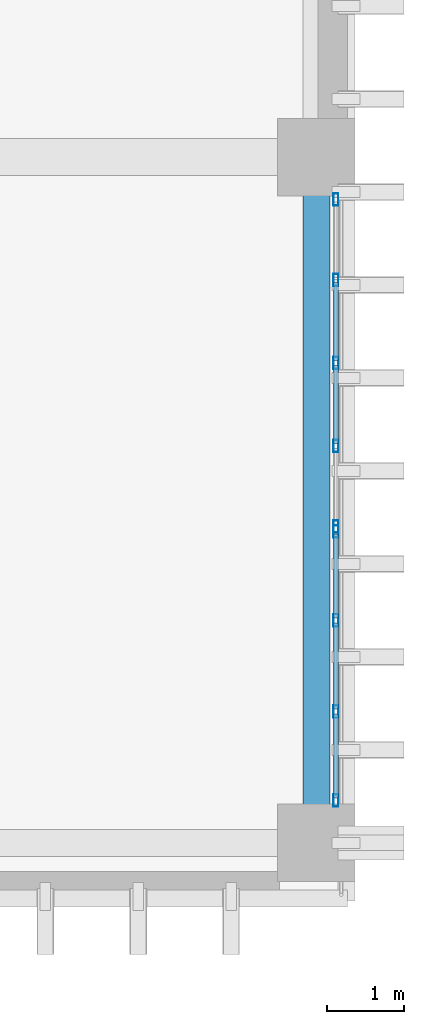
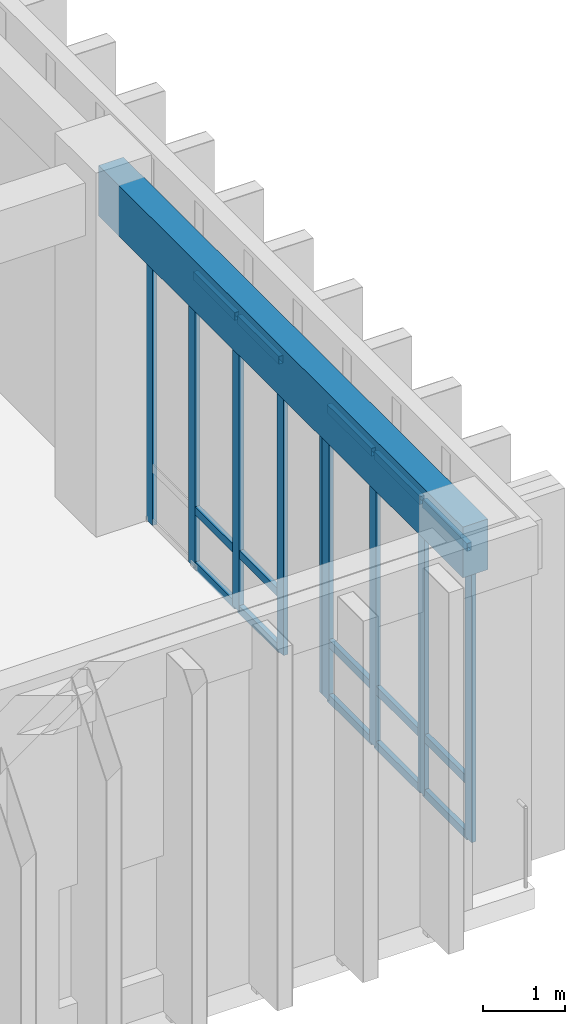
# One storey, part 60 of 134: 24 members, 1 beam, 2 elements without a shape of their own.
"""IFC4 building model written with IfcOpenShell, lengths in metres."""

from ifc_helpers import new_model, si_unit, direction, frame, origin, origin_2d, place, context, subcontext, project, spatial, rectangle, hollow_rectangle, extrude, material, layer, layer_set, material_profile, profile_set, type_object, element, aggregate, save


model = new_model("IFC4")

# Units and contexts
model_context = context("Model", 3, precision=1e-05, world=origin(), true_north=direction((0.0, 1.0)))
body_context = subcontext(model_context, "Body", "Model", "MODEL_VIEW")
ifc_project = project(units=[si_unit("LENGTHUNIT", "METRE"), si_unit("AREAUNIT", "SQUARE_METRE"), si_unit("VOLUMEUNIT", "CUBIC_METRE"), si_unit("PLANEANGLEUNIT", "RADIAN"), si_unit("MASSUNIT", "GRAM", prefix="KILO")], contexts=[model_context])

# Site, building, storey
site_placement = place(None, origin())
site = spatial("IfcSite", under=ifc_project, at=site_placement, CompositionType="ELEMENT")
building_placement = place(site_placement, origin())
building = spatial("IfcBuilding", under=site, at=building_placement, Name="Nakhvara Creek Congress Hotel", CompositionType="ELEMENT")
storey_placement = place(building_placement, frame((0.0, 0.0, 6.0)))
storey = spatial("IfcBuildingStorey", under=building, at=storey_placement, Name="L01", CompositionType="ELEMENT", Elevation=6.0)

# Beam
ifc_material_1 = material(Name="Concrete C40/50", Category="concrete")
ifc_material_profile_1 = material_profile(ifc_material_1, rectangle(XDim=0.35009765625, YDim=0.75, at=origin_2d()), Name="RC-SPANDREL 350x750", Category="LoadBearing")
ifc_profile_set_1 = profile_set([ifc_material_profile_1], Name="Concrete C40/50")
beam_type = type_object("IfcBeamType", Name="BM-SPN-350X750", PredefinedType="SPANDREL", material=ifc_profile_set_1)
beam_placement = place(storey_placement, frame((179.35009765625, 0.75, 4.72509765625), z_axis=(0.0, 1.0, 0.0), x_axis=(-1.0, 0.0, 0.0)))
element("IfcBeam", 1, at=beam_placement, inside=storey, type_object=beam_type, Name="Beam SP1-L01-1349", PredefinedType="SPANDREL", context=body_context, shape_type="SweptSolid", body=[
    extrude(rectangle(XDim=0.35009765625, YDim=0.75, at=origin_2d()), origin(), (0.0, 0.0, 1.0), 8.85009765625),
])

# Curtain wall, members
ifc_material_2 = material(Name="Bronze-anodised aluminium AW-6063-T6 and double-silver low-E glass", Category="aluminium")
ifc_layer = layer(ifc_material_2, 0.199951171875)
ifc_layer_set = layer_set([ifc_layer], Name="Bronze-anodised aluminium AW-6063-T6 and double-silver low-E glass")
curtain_wall_type = type_object("IfcCurtainWallType", Name="CW-HTL-UNIT", PredefinedType="USERDEFINED", material=ifc_layer_set)
curtain_wall_1_placement = place(storey_placement, origin())
curtain_wall_1 = element("IfcCurtainWall", 2, at=curtain_wall_1_placement, inside=storey, type_object=curtain_wall_type, Name="Curtain Wall CW106", ObjectType="UNITISED", PredefinedType="USERDEFINED")
ifc_material_3 = material(Name="Bronze-anodised aluminium AW-6063-T6", Category="aluminium")
ifc_material_profile_2 = material_profile(ifc_material_3, hollow_rectangle(XDim=0.06494140625, YDim=0.159912109375, WallThickness=0.00390625, at=origin_2d()), Name="ALU-MULL 65x160x4", Category="LoadBearing")
ifc_profile_set_2 = profile_set([ifc_material_profile_2], Name="Bronze-anodised aluminium AW-6063-T6")
member_type_1 = type_object("IfcMemberType", Name="CW-MULL-160", PredefinedType="MULLION", material=ifc_profile_set_2)
member_1_placement = place(storey_placement, frame((179.60009765625, 4.767578125, 0.0), z_axis=(0.0, 0.0, 1.0), x_axis=(1.0, 0.0, 0.0)))
member_1 = element("IfcMember", 3, at=member_1_placement, type_object=member_type_1, Name="CW106 mullion 1", PredefinedType="MULLION", context=body_context, shape_type="SweptSolid", body=[
    extrude(hollow_rectangle(XDim=0.06494140625, YDim=0.159912109375, WallThickness=0.00390625, at=origin_2d()), origin(), (0.0, 0.0, 1.0), 4.342041015625),
])
member_2_placement = place(storey_placement, frame((179.60009765625, 3.62158203125, 0.0), z_axis=(0.0, 0.0, 1.0), x_axis=(1.0, 0.0, 0.0)))
member_2 = element("IfcMember", 4, at=member_2_placement, type_object=member_type_1, Name="CW106 mullion 2", PredefinedType="MULLION", context=body_context, shape_type="SweptSolid", body=[
    extrude(hollow_rectangle(XDim=0.06494140625, YDim=0.159912109375, WallThickness=0.00390625, at=origin_2d()), origin(), (0.0, 0.0, 1.0), 4.342041015625),
])
member_3_placement = place(storey_placement, frame((179.60009765625, 2.443359375, 0.0), z_axis=(0.0, 0.0, 1.0), x_axis=(1.0, 0.0, 0.0)))
member_3 = element("IfcMember", 5, at=member_3_placement, type_object=member_type_1, Name="CW106 mullion 3", PredefinedType="MULLION", context=body_context, shape_type="SweptSolid", body=[
    extrude(hollow_rectangle(XDim=0.06494140625, YDim=0.159912109375, WallThickness=0.00390625, at=origin_2d()), origin(), (0.0, 0.0, 1.0), 4.342041015625),
])
member_4_placement = place(storey_placement, frame((179.60009765625, 1.297607421875, 0.0), z_axis=(0.0, 0.0, 1.0), x_axis=(1.0, 0.0, 0.0)))
member_4 = element("IfcMember", 6, at=member_4_placement, type_object=member_type_1, Name="CW106 mullion 4", PredefinedType="MULLION", context=body_context, shape_type="SweptSolid", body=[
    extrude(hollow_rectangle(XDim=0.06494140625, YDim=0.159912109375, WallThickness=0.00390625, at=origin_2d()), origin(), (0.0, 0.0, 1.0), 4.342041015625),
])

curtain_wall_2_placement = place(storey_placement, origin())
curtain_wall_2 = element("IfcCurtainWall", 7, at=curtain_wall_2_placement, inside=storey, type_object=curtain_wall_type, Name="Curtain Wall CW107", ObjectType="UNITISED", PredefinedType="USERDEFINED")
member_5_placement = place(storey_placement, frame((179.60009765625, 9.052490234375, 0.0), z_axis=(0.0, 0.0, 1.0), x_axis=(1.0, 0.0, 0.0)))
member_5 = element("IfcMember", 8, at=member_5_placement, type_object=member_type_1, Name="CW107 mullion 1", PredefinedType="MULLION", context=body_context, shape_type="SweptSolid", body=[
    extrude(hollow_rectangle(XDim=0.06494140625, YDim=0.159912109375, WallThickness=0.00390625, at=origin_2d()), origin(), (0.0, 0.0, 1.0), 4.342041015625),
])
member_6_placement = place(storey_placement, frame((179.60009765625, 8.013671875, 0.0), z_axis=(0.0, 0.0, 1.0), x_axis=(1.0, 0.0, 0.0)))
member_6 = element("IfcMember", 9, at=member_6_placement, type_object=member_type_1, Name="CW107 mullion 2", PredefinedType="MULLION", context=body_context, shape_type="SweptSolid", body=[
    extrude(hollow_rectangle(XDim=0.06494140625, YDim=0.159912109375, WallThickness=0.00390625, at=origin_2d()), origin(), (0.0, 0.0, 1.0), 4.342041015625),
])
member_7_placement = place(storey_placement, frame((179.60009765625, 6.9423828125, 0.0), z_axis=(0.0, 0.0, 1.0), x_axis=(1.0, 0.0, 0.0)))
member_7 = element("IfcMember", 10, at=member_7_placement, type_object=member_type_1, Name="CW107 mullion 3", PredefinedType="MULLION", context=body_context, shape_type="SweptSolid", body=[
    extrude(hollow_rectangle(XDim=0.06494140625, YDim=0.159912109375, WallThickness=0.00390625, at=origin_2d()), origin(), (0.0, 0.0, 1.0), 4.342041015625),
])
member_8_placement = place(storey_placement, frame((179.60009765625, 5.871337890625, 0.0), z_axis=(0.0, 0.0, 1.0), x_axis=(1.0, 0.0, 0.0)))
member_8 = element("IfcMember", 11, at=member_8_placement, type_object=member_type_1, Name="CW107 mullion 4", PredefinedType="MULLION", context=body_context, shape_type="SweptSolid", body=[
    extrude(hollow_rectangle(XDim=0.06494140625, YDim=0.159912109375, WallThickness=0.00390625, at=origin_2d()), origin(), (0.0, 0.0, 1.0), 4.342041015625),
])
member_9_placement = place(storey_placement, frame((179.60009765625, 4.83251953125, 0.0), z_axis=(0.0, 0.0, 1.0), x_axis=(1.0, 0.0, 0.0)))
member_9 = element("IfcMember", 12, at=member_9_placement, type_object=member_type_1, Name="CW107 mullion 5", PredefinedType="MULLION", context=body_context, shape_type="SweptSolid", body=[
    extrude(hollow_rectangle(XDim=0.06494140625, YDim=0.159912109375, WallThickness=0.00390625, at=origin_2d()), origin(), (0.0, 0.0, 1.0), 4.342041015625),
])

# Member
ifc_material_profile_3 = material_profile(ifc_material_3, hollow_rectangle(XDim=0.06494140625, YDim=0.1201171875, WallThickness=0.00390625, at=origin_2d()), Name="ALU-TRAN 65x120x4", Category="LoadBearing")
ifc_profile_set_3 = profile_set([ifc_material_profile_3], Name="Bronze-anodised aluminium AW-6063-T6")
member_type_2 = type_object("IfcMemberType", Name="CW-TRAN-120", PredefinedType="USERDEFINED", material=ifc_profile_set_3)
member_10_placement = place(storey_placement, frame((179.60009765625, 4.735107421875, 0.032470703125), z_axis=(0.0, -1.0, 0.0), x_axis=(1.0, 0.0, 0.0)))
member_10 = element("IfcMember", 13, at=member_10_placement, type_object=member_type_2, Name="CW106 transom 1.1", ObjectType="TRANSOM", PredefinedType="USERDEFINED", context=body_context, shape_type="SweptSolid", body=[
    extrude(hollow_rectangle(XDim=0.06494140625, YDim=0.1201171875, WallThickness=0.00390625, at=origin_2d()), origin(), (0.0, 0.0, 1.0), 1.0810546875),
])

member_11_placement = place(storey_placement, frame((179.60009765625, 4.735107421875, 0.85009765625), z_axis=(0.0, -1.0, 0.0), x_axis=(1.0, 0.0, 0.0)))
member_11 = element("IfcMember", 14, at=member_11_placement, type_object=member_type_2, Name="CW106 transom 1.2", ObjectType="TRANSOM", PredefinedType="USERDEFINED", context=body_context, shape_type="SweptSolid", body=[
    extrude(hollow_rectangle(XDim=0.06494140625, YDim=0.1201171875, WallThickness=0.00390625, at=origin_2d()), origin(), (0.0, 0.0, 1.0), 1.0810546875),
])

member_12_placement = place(storey_placement, frame((179.60009765625, 4.735107421875, 4.3095703125), z_axis=(0.0, -1.0, 0.0), x_axis=(1.0, 0.0, 0.0)))
member_12 = element("IfcMember", 15, at=member_12_placement, type_object=member_type_2, Name="CW106 transom 1.3", ObjectType="TRANSOM", PredefinedType="USERDEFINED", context=body_context, shape_type="SweptSolid", body=[
    extrude(hollow_rectangle(XDim=0.06494140625, YDim=0.1201171875, WallThickness=0.00390625, at=origin_2d()), origin(), (0.0, 0.0, 1.0), 1.0810546875),
])

member_13_placement = place(storey_placement, frame((179.60009765625, 3.589111328125, 0.032470703125), z_axis=(0.0, -1.0, 0.0), x_axis=(1.0, 0.0, 0.0)))
member_13 = element("IfcMember", 16, at=member_13_placement, type_object=member_type_2, Name="CW106 transom 2.1", ObjectType="TRANSOM", PredefinedType="USERDEFINED", context=body_context, shape_type="SweptSolid", body=[
    extrude(hollow_rectangle(XDim=0.06494140625, YDim=0.1201171875, WallThickness=0.00390625, at=origin_2d()), origin(), (0.0, 0.0, 1.0), 1.11328125),
])

member_14_placement = place(storey_placement, frame((179.60009765625, 3.589111328125, 0.85009765625), z_axis=(0.0, -1.0, 0.0), x_axis=(1.0, 0.0, 0.0)))
member_14 = element("IfcMember", 17, at=member_14_placement, type_object=member_type_2, Name="CW106 transom 2.2", ObjectType="TRANSOM", PredefinedType="USERDEFINED", context=body_context, shape_type="SweptSolid", body=[
    extrude(hollow_rectangle(XDim=0.06494140625, YDim=0.1201171875, WallThickness=0.00390625, at=origin_2d()), origin(), (0.0, 0.0, 1.0), 1.11328125),
])

member_15_placement = place(storey_placement, frame((179.60009765625, 3.589111328125, 4.3095703125), z_axis=(0.0, -1.0, 0.0), x_axis=(1.0, 0.0, 0.0)))
member_15 = element("IfcMember", 18, at=member_15_placement, type_object=member_type_2, Name="CW106 transom 2.3", ObjectType="TRANSOM", PredefinedType="USERDEFINED", context=body_context, shape_type="SweptSolid", body=[
    extrude(hollow_rectangle(XDim=0.06494140625, YDim=0.1201171875, WallThickness=0.00390625, at=origin_2d()), origin(), (0.0, 0.0, 1.0), 1.11328125),
])

member_16_placement = place(storey_placement, frame((179.60009765625, 2.410888671875, 0.032470703125), z_axis=(0.0, -1.0, 0.0), x_axis=(1.0, 0.0, 0.0)))
member_16 = element("IfcMember", 19, at=member_16_placement, type_object=member_type_2, Name="CW106 transom 3.1", ObjectType="TRANSOM", PredefinedType="USERDEFINED", context=body_context, shape_type="SweptSolid", body=[
    extrude(hollow_rectangle(XDim=0.06494140625, YDim=0.1201171875, WallThickness=0.00390625, at=origin_2d()), origin(), (0.0, 0.0, 1.0), 1.080810546875),
])

member_17_placement = place(storey_placement, frame((179.60009765625, 2.410888671875, 0.85009765625), z_axis=(0.0, -1.0, 0.0), x_axis=(1.0, 0.0, 0.0)))
member_17 = element("IfcMember", 20, at=member_17_placement, type_object=member_type_2, Name="CW106 transom 3.2", ObjectType="TRANSOM", PredefinedType="USERDEFINED", context=body_context, shape_type="SweptSolid", body=[
    extrude(hollow_rectangle(XDim=0.06494140625, YDim=0.1201171875, WallThickness=0.00390625, at=origin_2d()), origin(), (0.0, 0.0, 1.0), 1.080810546875),
])

member_18_placement = place(storey_placement, frame((179.60009765625, 2.410888671875, 4.3095703125), z_axis=(0.0, -1.0, 0.0), x_axis=(1.0, 0.0, 0.0)))
member_18 = element("IfcMember", 21, at=member_18_placement, type_object=member_type_2, Name="CW106 transom 3.3", ObjectType="TRANSOM", PredefinedType="USERDEFINED", context=body_context, shape_type="SweptSolid", body=[
    extrude(hollow_rectangle(XDim=0.06494140625, YDim=0.1201171875, WallThickness=0.00390625, at=origin_2d()), origin(), (0.0, 0.0, 1.0), 1.080810546875),
])

aggregate(curtain_wall_1, [member_1, member_2, member_3, member_4, member_10, member_11, member_12, member_13, member_14, member_15, member_16, member_17, member_18])

member_19_placement = place(storey_placement, frame((179.60009765625, 7.981201171875, 0.032470703125), z_axis=(0.0, -1.0, 0.0), x_axis=(1.0, 0.0, 0.0)))
member_19 = element("IfcMember", 22, at=member_19_placement, type_object=member_type_2, Name="CW107 transom 2.1", ObjectType="TRANSOM", PredefinedType="USERDEFINED", context=body_context, shape_type="SweptSolid", body=[
    extrude(hollow_rectangle(XDim=0.06494140625, YDim=0.1201171875, WallThickness=0.00390625, at=origin_2d()), origin(), (0.0, 0.0, 1.0), 1.006103515625),
])

member_20_placement = place(storey_placement, frame((179.60009765625, 7.981201171875, 0.85009765625), z_axis=(0.0, -1.0, 0.0), x_axis=(1.0, 0.0, 0.0)))
member_20 = element("IfcMember", 23, at=member_20_placement, type_object=member_type_2, Name="CW107 transom 2.2", ObjectType="TRANSOM", PredefinedType="USERDEFINED", context=body_context, shape_type="SweptSolid", body=[
    extrude(hollow_rectangle(XDim=0.06494140625, YDim=0.1201171875, WallThickness=0.00390625, at=origin_2d()), origin(), (0.0, 0.0, 1.0), 1.006103515625),
])

member_21_placement = place(storey_placement, frame((179.60009765625, 7.981201171875, 4.3095703125), z_axis=(0.0, -1.0, 0.0), x_axis=(1.0, 0.0, 0.0)))
member_21 = element("IfcMember", 24, at=member_21_placement, type_object=member_type_2, Name="CW107 transom 2.3", ObjectType="TRANSOM", PredefinedType="USERDEFINED", context=body_context, shape_type="SweptSolid", body=[
    extrude(hollow_rectangle(XDim=0.06494140625, YDim=0.1201171875, WallThickness=0.00390625, at=origin_2d()), origin(), (0.0, 0.0, 1.0), 1.006103515625),
])

member_22_placement = place(storey_placement, frame((179.60009765625, 6.909912109375, 0.032470703125), z_axis=(0.0, -1.0, 0.0), x_axis=(1.0, 0.0, 0.0)))
member_22 = element("IfcMember", 25, at=member_22_placement, type_object=member_type_2, Name="CW107 transom 3.1", ObjectType="TRANSOM", PredefinedType="USERDEFINED", context=body_context, shape_type="SweptSolid", body=[
    extrude(hollow_rectangle(XDim=0.06494140625, YDim=0.1201171875, WallThickness=0.00390625, at=origin_2d()), origin(), (0.0, 0.0, 1.0), 1.006103515625),
])

member_23_placement = place(storey_placement, frame((179.60009765625, 6.909912109375, 0.85009765625), z_axis=(0.0, -1.0, 0.0), x_axis=(1.0, 0.0, 0.0)))
member_23 = element("IfcMember", 26, at=member_23_placement, type_object=member_type_2, Name="CW107 transom 3.2", ObjectType="TRANSOM", PredefinedType="USERDEFINED", context=body_context, shape_type="SweptSolid", body=[
    extrude(hollow_rectangle(XDim=0.06494140625, YDim=0.1201171875, WallThickness=0.00390625, at=origin_2d()), origin(), (0.0, 0.0, 1.0), 1.006103515625),
])

member_24_placement = place(storey_placement, frame((179.60009765625, 6.909912109375, 4.3095703125), z_axis=(0.0, -1.0, 0.0), x_axis=(1.0, 0.0, 0.0)))
member_24 = element("IfcMember", 27, at=member_24_placement, type_object=member_type_2, Name="CW107 transom 3.3", ObjectType="TRANSOM", PredefinedType="USERDEFINED", context=body_context, shape_type="SweptSolid", body=[
    extrude(hollow_rectangle(XDim=0.06494140625, YDim=0.1201171875, WallThickness=0.00390625, at=origin_2d()), origin(), (0.0, 0.0, 1.0), 1.006103515625),
])

aggregate(curtain_wall_2, [member_5, member_6, member_7, member_8, member_9, member_19, member_20, member_21, member_22, member_23, member_24])

save(model, "model.ifc")
